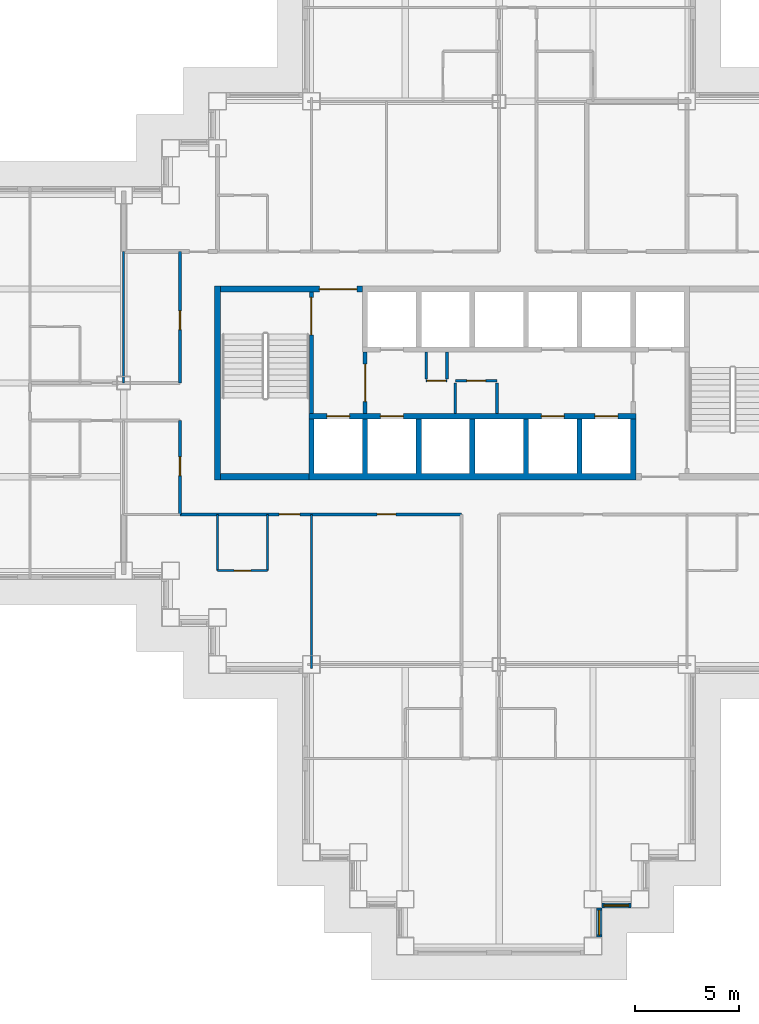
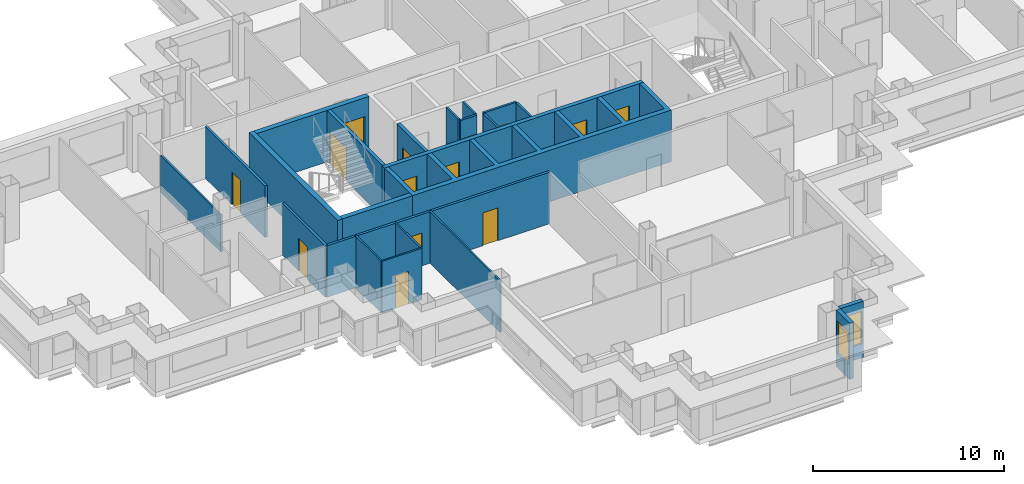
# One storey, part 5 of 15: 23 walls, 14 doors, 2 windows, 16 openings.
"""IFC4 building model written with IfcOpenShell, lengths in metres."""

from ifc_helpers import new_model, si_unit, direction, frame, frame_2d, origin, place, context, subcontext, project, spatial, polyline, rectangle, outline, extrude, material, layer, layer_set, type_object, element, fill, save


model = new_model("IFC4")

# Units and contexts
model_context = context("Model", 3, precision=1e-05, world=origin(), true_north=direction((0.0, 1.0)))
body_context = subcontext(model_context, "Body", "Model", "MODEL_VIEW")
ifc_project = project(units=[si_unit("LENGTHUNIT", "METRE"), si_unit("AREAUNIT", "SQUARE_METRE"), si_unit("VOLUMEUNIT", "CUBIC_METRE"), si_unit("PLANEANGLEUNIT", "RADIAN"), si_unit("MASSUNIT", "GRAM", prefix="KILO")], contexts=[model_context])

# Site, building, storey
site_placement = place(None, origin())
site = spatial("IfcSite", under=ifc_project, at=site_placement, CompositionType="ELEMENT")
building_placement = place(site_placement, origin())
building = spatial("IfcBuilding", under=site, at=building_placement, Name="Caravel Reach Hotel and Residences", CompositionType="ELEMENT")
storey_placement = place(building_placement, frame((0.0, 0.0, 122.39990234375)))
storey = spatial("IfcBuildingStorey", under=building, at=storey_placement, Name="L30", CompositionType="ELEMENT", Elevation=122.39990234375)

# Wall, opening, door
ifc_material_1 = material(Name="Gypsum board on steel stud", Category="steel")
ifc_layer_1 = layer(ifc_material_1, 0.10009765625)
ifc_layer_set_1 = layer_set([ifc_layer_1], Name="Bathroom pod wall 100 mm")
wall_type_1 = type_object("IfcWallType", Name="Bathroom pod wall 100 mm", PredefinedType="PARTITIONING", material=ifc_layer_set_1)
wall_1_placement = place(storey_placement, frame((18.0, 18.0, 0.0), z_axis=(0.0, 0.0, 1.0), x_axis=(1.0, 0.0, 0.0)))
wall_1 = element("IfcWall", 1, at=wall_1_placement, inside=storey, type_object=wall_type_1, Name="L30 wall w069", PredefinedType="PARTITIONING", context=body_context, shape_type="SweptSolid", body=[
    extrude(rectangle(XDim=2.39990234375, YDim=0.10009765625, at=frame_2d((1.199951171875, 0.0))), origin(), (0.0, 0.0, 1.0), 3.300048828125),
])
opening_1_placement = place(wall_1_placement, frame((0.800048828125, 0.0, 0.0)))
opening_1 = element("IfcOpeningElement", 2, at=opening_1_placement, cuts=wall_1, Name="Opening D30-047", PredefinedType="OPENING", context=body_context, shape_type="SweptSolid", body=[
    extrude(rectangle(XDim=0.800048828125, YDim=2.10009765625, at=frame_2d((0.39990234375, 1.050048828125))), frame((0.0, 0.06005859375, 0.0), z_axis=(0.0, -1.0, 0.0), x_axis=(1.0, 0.0, 0.0)), (0.0, 0.0, 1.0), 0.1201171875),
])
ifc_material_2 = material(Name="Timber and steel door leaf", Category="steel")
door_type_1 = type_object("IfcDoorType", Name="Bathroom door 800 x 2100", OperationType="SINGLE_SWING_LEFT", PredefinedType="DOOR", material=ifc_material_2)
door_1_placement = place(opening_1_placement, origin())
door_1 = element("IfcDoor", 3, at=door_1_placement, inside=storey, type_object=door_type_1, Name="door D30-047", OperationType="SINGLE_SWING_LEFT", OverallHeight=2.10009765625, OverallWidth=0.800048828125, PredefinedType="DOOR", context=body_context, shape_type="SweptSolid", body=[
    extrude(rectangle(XDim=0.800048828125, YDim=2.10009765625, at=frame_2d((0.39990234375, 1.050048828125))), frame((0.0, 0.02490234375, 0.0), z_axis=(0.0, -1.0, 0.0), x_axis=(1.0, 0.0, 0.0)), (0.0, 0.0, 1.0), 0.050048828125),
])
fill(opening_1, door_1)

# Walls
for number, where, z_axis, x_axis, name in (
    (4, (18.0, 18.0, 0.0), (0.0, 0.0, 1.0), (0.0, 1.0, 0.0), "L30 wall w083"),
    (5, (20.39990234375, 18.0, 0.0), (0.0, 0.0, 1.0), (0.0, 1.0, 0.0), "L30 wall w085"),
):
    element("IfcWall", number, at=place(storey_placement, frame(where, z_axis=z_axis, x_axis=x_axis)), inside=storey, type_object=wall_type_1, Name=name, PredefinedType="PARTITIONING", context=body_context, shape_type="SweptSolid", body=[
        extrude(rectangle(XDim=2.699951171875, YDim=0.10009765625, at=frame_2d((1.35009765625, 0.0))), origin(), (0.0, 0.0, 1.0), 3.300048828125),
    ])
ifc_material_3 = material(Name="Concrete C60", Category="concrete")
ifc_layer_2 = layer(ifc_material_3, 0.300048828125)
ifc_layer_set_2 = layer_set([ifc_layer_2], Name="Core wall 300 mm EI 120")
wall_type_2 = type_object("IfcWallType", Name="Core wall 300 mm EI 120", PredefinedType="SHEAR", material=ifc_layer_set_2)
wall_2_placement = place(storey_placement, frame((18.14990234375, 22.5, 0.0), z_axis=(0.0, 0.0, 1.0), x_axis=(1.0, 0.0, 0.0)))
element("IfcWall", 6, at=wall_2_placement, inside=storey, type_object=wall_type_2, Name="L30 core wall S1", PredefinedType="SHEAR", context=body_context, shape_type="SweptSolid", body=[
    extrude(rectangle(XDim=4.22509765625, YDim=0.300048828125, at=frame_2d((2.112548828125, 0.0))), origin(), (0.0, 0.0, 1.0), 3.300048828125),
])

# Wall, opening, door
wall_3_placement = place(storey_placement, frame((18.14990234375, 31.5, 0.0), z_axis=(0.0, 0.0, 1.0), x_axis=(1.0, 0.0, 0.0)))
wall_3 = element("IfcWall", 7, at=wall_3_placement, inside=storey, type_object=wall_type_2, Name="L30 core wall N1", PredefinedType="SHEAR", context=body_context, shape_type="SweptSolid", body=[
    extrude(rectangle(XDim=6.796630859375, YDim=0.300048828125, at=frame_2d((3.3984375, 0.0))), origin(), (0.0, 0.0, 1.0), 3.300048828125),
])
opening_2_placement = place(wall_3_placement, frame((4.735595703125, 0.0, 0.0)))
opening_2 = element("IfcOpeningElement", 8, at=opening_2_placement, cuts=wall_3, Name="Opening D30-014", PredefinedType="OPENING", context=body_context, shape_type="SweptSolid", body=[
    extrude(rectangle(XDim=1.800048828125, YDim=2.10009765625, at=frame_2d((0.89990234375, 1.050048828125))), frame((0.0, 0.159912109375, 0.0), z_axis=(0.0, -1.0, 0.0), x_axis=(1.0, 0.0, 0.0)), (0.0, 0.0, 1.0), 0.320068359375),
])
ifc_material_4 = material(Name="Steel fire door leaf", Category="steel")
door_type_2 = type_object("IfcDoorType", Name="Fire lobby door pair 1800 x 2100 EI 90", OperationType="DOUBLE_DOOR_SINGLE_SWING", PredefinedType="DOOR", material=ifc_material_4)
door_2_placement = place(opening_2_placement, origin())
door_2 = element("IfcDoor", 9, at=door_2_placement, inside=storey, type_object=door_type_2, Name="lobby N door pair to corridor", OperationType="DOUBLE_DOOR_SINGLE_SWING", OverallHeight=2.10009765625, OverallWidth=1.800048828125, PredefinedType="DOOR", context=body_context, shape_type="SweptSolid", body=[
    extrude(rectangle(XDim=1.800048828125, YDim=2.10009765625, at=frame_2d((0.89990234375, 1.050048828125))), frame((0.0, 0.02490234375, 0.0), z_axis=(0.0, -1.0, 0.0), x_axis=(1.0, 0.0, 0.0)), (0.0, 0.0, 1.0), 0.050048828125),
])
fill(opening_2, door_2)

# Wall
wall_4_placement = place(storey_placement, frame((18.0, 22.35009765625, 0.0), z_axis=(0.0, 0.0, 1.0), x_axis=(0.0, 1.0, 0.0)))
element("IfcWall", 10, at=wall_4_placement, inside=storey, type_object=wall_type_2, Name="L30 core wall W", PredefinedType="SHEAR", context=body_context, shape_type="SweptSolid", body=[
    extrude(rectangle(XDim=9.2998046875, YDim=0.300048828125, at=frame_2d((4.64990234375, 0.0))), origin(), (0.0, 0.0, 1.0), 3.300048828125),
])

# Wall, openings, doors
ifc_material_5 = material(Name="Gypsum board on steel stud, fire-rated", Category="steel")
ifc_layer_3 = layer(ifc_material_5, 0.14990234375)
ifc_layer_set_3 = layer_set([ifc_layer_3], Name="Corridor wall 150 mm EI 60")
wall_type_3 = type_object("IfcWallType", Name="Corridor wall 150 mm EI 60", PredefinedType="PARTITIONING", material=ifc_layer_set_3)
wall_5_placement = place(storey_placement, frame((16.199951171875, 20.699951171875, 0.0), z_axis=(0.0, 0.0, 1.0), x_axis=(1.0, 0.0, 0.0)))
wall_5 = element("IfcWall", 11, at=wall_5_placement, inside=storey, type_object=wall_type_3, Name="L30 wall w001", PredefinedType="PARTITIONING", context=body_context, shape_type="SweptSolid", body=[
    extrude(rectangle(XDim=13.5, YDim=0.14990234375, at=frame_2d((6.75, 0.0))), origin(), (0.0, 0.0, 1.0), 3.300048828125),
])
opening_3_placement = place(wall_5_placement, frame((4.75, 0.0, 0.0)))
opening_3 = element("IfcOpeningElement", 12, at=opening_3_placement, cuts=wall_5, Name="Opening D30-046", PredefinedType="OPENING", context=body_context, shape_type="SweptSolid", body=[
    extrude(rectangle(XDim=1.0, YDim=2.10009765625, at=frame_2d((0.5, 1.050048828125))), frame((0.0, 0.0849609375, 0.0), z_axis=(0.0, -1.0, 0.0), x_axis=(1.0, 0.0, 0.0)), (0.0, 0.0, 1.0), 0.169921875),
])
opening_4_placement = place(wall_5_placement, frame((9.449951171875, 0.0, 0.0)))
opening_4 = element("IfcOpeningElement", 13, at=opening_4_placement, cuts=wall_5, Name="Opening D30-054", PredefinedType="OPENING", context=body_context, shape_type="SweptSolid", body=[
    extrude(rectangle(XDim=0.89990234375, YDim=2.10009765625, at=frame_2d((0.449951171875, 1.050048828125))), frame((0.0, 0.0849609375, 0.0), z_axis=(0.0, -1.0, 0.0), x_axis=(1.0, 0.0, 0.0)), (0.0, 0.0, 1.0), 0.169921875),
])
ifc_material_6 = material(Name="Timber and steel door leaf", Category="steel")
door_type_3 = type_object("IfcDoorType", Name="Door 900 x 2100 timber", OperationType="SINGLE_SWING_LEFT", PredefinedType="DOOR", material=ifc_material_6)
door_3_placement = place(opening_4_placement, origin())
door_3 = element("IfcDoor", 14, at=door_3_placement, inside=storey, type_object=door_type_3, Name="door D30-054", OperationType="SINGLE_SWING_LEFT", OverallHeight=2.10009765625, OverallWidth=0.89990234375, PredefinedType="DOOR", context=body_context, shape_type="SweptSolid", body=[
    extrude(rectangle(XDim=0.89990234375, YDim=2.10009765625, at=frame_2d((0.449951171875, 1.050048828125))), frame((0.0, 0.02490234375, 0.0), z_axis=(0.0, -1.0, 0.0), x_axis=(1.0, 0.0, 0.0)), (0.0, 0.0, 1.0), 0.050048828125),
])
fill(opening_4, door_3)
ifc_material_7 = material(Name="Steel fire door leaf", Category="steel")
door_type_4 = type_object("IfcDoorType", Name="Guest room door 1000 x 2100 EI 30", OperationType="SINGLE_SWING_LEFT", PredefinedType="DOOR", material=ifc_material_7)
door_4_placement = place(opening_3_placement, origin())
door_4 = element("IfcDoor", 15, at=door_4_placement, inside=storey, type_object=door_type_4, Name="door D30-046", OperationType="SINGLE_SWING_RIGHT", OverallHeight=2.10009765625, OverallWidth=1.0, PredefinedType="DOOR", context=body_context, shape_type="SweptSolid", body=[
    extrude(rectangle(XDim=1.0, YDim=2.10009765625, at=frame_2d((0.5, 1.050048828125))), frame((0.0, 0.02490234375, 0.0), z_axis=(0.0, -1.0, 0.0), x_axis=(1.0, 0.0, 0.0)), (0.0, 0.0, 1.0), 0.050048828125),
])
fill(opening_3, door_4)

# Wall, opening, door
wall_6_placement = place(storey_placement, frame((16.199951171875, 27.0, 0.0), z_axis=(0.0, 0.0, 1.0), x_axis=(0.0, 1.0, 0.0)))
wall_6 = element("IfcWall", 16, at=wall_6_placement, inside=storey, type_object=wall_type_3, Name="L30 wall w023", PredefinedType="PARTITIONING", context=body_context, shape_type="SweptSolid", body=[
    extrude(rectangle(XDim=6.300048828125, YDim=0.14990234375, at=frame_2d((3.14990234375, 0.0))), origin(), (0.0, 0.0, 1.0), 3.300048828125),
])
opening_5_placement = place(wall_6_placement, frame((2.550048828125, 0.0, 0.0)))
opening_5 = element("IfcOpeningElement", 17, at=opening_5_placement, cuts=wall_6, Name="Opening D30-057", PredefinedType="OPENING", context=body_context, shape_type="SweptSolid", body=[
    extrude(rectangle(XDim=0.89990234375, YDim=2.10009765625, at=frame_2d((0.449951171875, 1.050048828125))), frame((0.0, 0.0849609375, 0.0), z_axis=(0.0, -1.0, 0.0), x_axis=(1.0, 0.0, 0.0)), (0.0, 0.0, 1.0), 0.169921875),
])
door_5_placement = place(opening_5_placement, origin())
door_5 = element("IfcDoor", 18, at=door_5_placement, inside=storey, type_object=door_type_3, Name="door D30-057", OperationType="SINGLE_SWING_LEFT", OverallHeight=2.10009765625, OverallWidth=0.89990234375, PredefinedType="DOOR", context=body_context, shape_type="SweptSolid", body=[
    extrude(rectangle(XDim=0.89990234375, YDim=2.10009765625, at=frame_2d((0.449951171875, 1.050048828125))), frame((0.0, 0.02490234375, 0.0), z_axis=(0.0, -1.0, 0.0), x_axis=(1.0, 0.0, 0.0)), (0.0, 0.0, 1.0), 0.050048828125),
])
fill(opening_5, door_5)

wall_7_placement = place(storey_placement, frame((16.199951171875, 20.699951171875, 0.0), z_axis=(0.0, 0.0, 1.0), x_axis=(0.0, 1.0, 0.0)))
wall_7 = element("IfcWall", 19, at=wall_7_placement, inside=storey, type_object=wall_type_3, Name="L30 wall w024", PredefinedType="PARTITIONING", context=body_context, shape_type="SweptSolid", body=[
    extrude(rectangle(XDim=4.5, YDim=0.14990234375, at=frame_2d((2.25, 0.0))), origin(), (0.0, 0.0, 1.0), 3.300048828125),
])
opening_6_placement = place(wall_7_placement, frame((1.85009765625, 0.0, 0.0)))
opening_6 = element("IfcOpeningElement", 20, at=opening_6_placement, cuts=wall_7, Name="Opening D30-056", PredefinedType="OPENING", context=body_context, shape_type="SweptSolid", body=[
    extrude(rectangle(XDim=0.89990234375, YDim=2.10009765625, at=frame_2d((0.449951171875, 1.050048828125))), frame((0.0, 0.0849609375, 0.0), z_axis=(0.0, -1.0, 0.0), x_axis=(1.0, 0.0, 0.0)), (0.0, 0.0, 1.0), 0.169921875),
])
door_6_placement = place(opening_6_placement, origin())
door_6 = element("IfcDoor", 21, at=door_6_placement, inside=storey, type_object=door_type_3, Name="door D30-056", OperationType="SINGLE_SWING_LEFT", OverallHeight=2.10009765625, OverallWidth=0.89990234375, PredefinedType="DOOR", context=body_context, shape_type="SweptSolid", body=[
    extrude(rectangle(XDim=0.89990234375, YDim=2.10009765625, at=frame_2d((0.449951171875, 1.050048828125))), frame((0.0, 0.02490234375, 0.0), z_axis=(0.0, -1.0, 0.0), x_axis=(1.0, 0.0, 0.0)), (0.0, 0.0, 1.0), 0.050048828125),
])
fill(opening_6, door_6)

# Wall, opening, window
ifc_material_8 = material(Name="Insulated rainscreen wall, aluminium cladding", Category="aluminium")
ifc_layer_4 = layer(ifc_material_8, 0.25)
ifc_layer_set_4 = layer_set([ifc_layer_4], Name="EW1 Tower rainscreen wall")
wall_type_4 = type_object("IfcWallType", Name="EW1 Tower rainscreen wall", PredefinedType="SOLIDWALL", material=ifc_layer_set_4)
wall_8_placement = place(storey_placement, frame((36.300048828125, 0.425048828125, 0.0), z_axis=(0.0, 0.0, 1.0), x_axis=(0.0, 1.0, 0.0)))
wall_8 = element("IfcWall", 22, at=wall_8_placement, inside=storey, type_object=wall_type_4, Name="External wall L30 E6.1", PredefinedType="SOLIDWALL", context=body_context, shape_type="SweptSolid", body=[
    extrude(rectangle(XDim=1.39990234375, YDim=0.25, at=frame_2d((0.699951171875, 0.0))), origin(), (0.0, 0.0, 1.0), 3.60009765625),
])
opening_7_placement = place(wall_8_placement, frame((0.10009765625, 0.0, 0.89990234375)))
opening_7 = element("IfcOpeningElement", 23, at=opening_7_placement, cuts=wall_8, Name="Opening WN9", PredefinedType="OPENING", context=body_context, shape_type="SweptSolid", body=[
    extrude(rectangle(XDim=1.199951171875, YDim=2.080078125, at=frame_2d((0.60009765625, 1.0400390625))), frame((0.0, 0.135009765625, 0.0), z_axis=(0.0, -1.0, 0.0), x_axis=(1.0, 0.0, 0.0)), (0.0, 0.0, 1.0), 0.27001953125),
])
ifc_material_9 = material(Name="Dark low-e glazing in black aluminium frame", Category="aluminium")
window_type = type_object("IfcWindowType", Name="Hotel suite corner window 1200 x 2080", PartitioningType="SINGLE_PANEL", PredefinedType="WINDOW", material=ifc_material_9)
window_1_placement = place(opening_7_placement, origin())
window_1 = element("IfcWindow", 24, at=window_1_placement, inside=storey, type_object=window_type, Name="Window L30 E6.1.1", OverallHeight=2.080078125, OverallWidth=1.199951171875, PartitioningType="SINGLE_PANEL", PredefinedType="WINDOW", context=body_context, shape_type="SweptSolid", body=[
    extrude(rectangle(XDim=1.199951171875, YDim=2.080078125, at=frame_2d((0.60009765625, 1.0400390625))), frame((0.0, 0.030029296875, 0.0), z_axis=(0.0, -1.0, 0.0), x_axis=(1.0, 0.0, 0.0)), (0.0, 0.0, 1.0), 0.06005859375),
])
fill(opening_7, window_1)

wall_9_placement = place(storey_placement, frame((36.425048828125, 1.949951171875, 0.0), z_axis=(0.0, 0.0, 1.0), x_axis=(1.0, 0.0, 0.0)))
wall_9 = element("IfcWall", 25, at=wall_9_placement, inside=storey, type_object=wall_type_4, Name="External wall L30 S7.1", PredefinedType="SOLIDWALL", context=body_context, shape_type="SweptSolid", body=[
    extrude(rectangle(XDim=1.39990234375, YDim=0.25, at=frame_2d((0.699951171875, 0.0))), origin(), (0.0, 0.0, 1.0), 3.60009765625),
])
opening_8_placement = place(wall_9_placement, frame((0.10009765625, 0.0, 0.89990234375)))
opening_8 = element("IfcOpeningElement", 26, at=opening_8_placement, cuts=wall_9, Name="Opening WN9", PredefinedType="OPENING", context=body_context, shape_type="SweptSolid", body=[
    extrude(rectangle(XDim=1.199951171875, YDim=2.080078125, at=frame_2d((0.60009765625, 1.0400390625))), frame((0.0, 0.135009765625, 0.0), z_axis=(0.0, -1.0, 0.0), x_axis=(1.0, 0.0, 0.0)), (0.0, 0.0, 1.0), 0.27001953125),
])
window_2_placement = place(opening_8_placement, origin())
window_2 = element("IfcWindow", 27, at=window_2_placement, inside=storey, type_object=window_type, Name="Window L30 S7.1.1", OverallHeight=2.080078125, OverallWidth=1.199951171875, PartitioningType="SINGLE_PANEL", PredefinedType="WINDOW", context=body_context, shape_type="SweptSolid", body=[
    extrude(rectangle(XDim=1.199951171875, YDim=2.080078125, at=frame_2d((0.60009765625, 1.0400390625))), frame((0.0, 0.030029296875, 0.0), z_axis=(0.0, -1.0, 0.0), x_axis=(1.0, 0.0, 0.0)), (0.0, 0.0, 1.0), 0.06005859375),
])
fill(opening_8, window_2)

# Wall, opening, door
ifc_material_10 = material(Name="Autoclaved aerated block wall")
ifc_layer_5 = layer(ifc_material_10, 0.199951171875)
ifc_layer_set_5 = layer_set([ifc_layer_5], Name="Fire lobby wall 200 mm EI 120")
wall_type_5 = type_object("IfcWallType", Name="Fire lobby wall 200 mm EI 120", PredefinedType="PARTITIONING", material=ifc_layer_set_5)
wall_10_placement = place(storey_placement, frame((25.071533203125, 25.52490234375, 0.0), z_axis=(0.0, 0.0, 1.0), x_axis=(0.0, 1.0, 0.0)))
wall_10 = element("IfcWall", 28, at=wall_10_placement, inside=storey, type_object=wall_type_5, Name="L30 lobby W wall", PredefinedType="PARTITIONING", context=body_context, shape_type="SweptSolid", body=[
    extrude(rectangle(XDim=2.9501953125, YDim=0.199951171875, at=frame_2d((1.47509765625, 0.0))), origin(), (0.0, 0.0, 1.0), 3.300048828125),
])
opening_9_placement = place(wall_10_placement, frame((0.574951171875, 0.0, 0.0)))
opening_9 = element("IfcOpeningElement", 29, at=opening_9_placement, cuts=wall_10, Name="Opening D30-012", PredefinedType="OPENING", context=body_context, shape_type="SweptSolid", body=[
    extrude(rectangle(XDim=1.800048828125, YDim=2.10009765625, at=frame_2d((0.89990234375, 1.050048828125))), frame((0.0, 0.10986328125, 0.0), z_axis=(0.0, -1.0, 0.0), x_axis=(1.0, 0.0, 0.0)), (0.0, 0.0, 1.0), 0.219970703125),
])
door_7_placement = place(opening_9_placement, origin())
door_7 = element("IfcDoor", 30, at=door_7_placement, inside=storey, type_object=door_type_2, Name="lobby W door pair", OperationType="DOUBLE_DOOR_SINGLE_SWING", OverallHeight=2.10009765625, OverallWidth=1.800048828125, PredefinedType="DOOR", context=body_context, shape_type="SweptSolid", body=[
    extrude(rectangle(XDim=1.800048828125, YDim=2.10009765625, at=frame_2d((0.89990234375, 1.050048828125))), frame((0.0, 0.02490234375, 0.0), z_axis=(0.0, -1.0, 0.0), x_axis=(1.0, 0.0, 0.0)), (0.0, 0.0, 1.0), 0.050048828125),
])
fill(opening_9, door_7)

# Walls
ifc_material_11 = material(Name="Gypsum board on steel stud", Category="steel")
ifc_layer_6 = layer(ifc_material_11, 0.10009765625)
ifc_layer_set_6 = layer_set([ifc_layer_6], Name="Partition 100 mm")
wall_type_6 = type_object("IfcWallType", Name="Partition 100 mm", PredefinedType="PARTITIONING", material=ifc_layer_set_6)
wall_11_placement = place(storey_placement, frame((13.5, 27.0, 0.0), z_axis=(0.0, 0.0, 1.0), x_axis=(0.0, 1.0, 0.0)))
element("IfcWall", 31, at=wall_11_placement, inside=storey, type_object=wall_type_6, Name="L30 wall w049", PredefinedType="PARTITIONING", context=body_context, shape_type="SweptSolid", body=[
    extrude(rectangle(XDim=6.300048828125, YDim=0.10009765625, at=frame_2d((3.14990234375, 0.0))), origin(), (0.0, 0.0, 1.0), 2.380126953125),
])
wall_12_placement = place(storey_placement, frame((22.5, 13.31005859375, 0.0), z_axis=(0.0, 0.0, 1.0), x_axis=(0.0, 1.0, 0.0)))
element("IfcWall", 32, at=wall_12_placement, inside=storey, type_object=wall_type_6, Name="L30 wall w052", PredefinedType="PARTITIONING", context=body_context, shape_type="SweptSolid", body=[
    extrude(rectangle(XDim=7.389892578125, YDim=0.10009765625, at=frame_2d((3.69482421875, 0.0))), origin(), (0.0, 0.0, 1.0), 3.300048828125),
])

# Wall, opening, door
ifc_material_12 = material(Name="Autoclaved aerated block wall")
ifc_layer_7 = layer(ifc_material_12, 0.125)
ifc_layer_set_7 = layer_set([ifc_layer_7], Name="Riser wall 125 mm EI 60")
wall_type_7 = type_object("IfcWallType", Name="Riser wall 125 mm EI 60", PredefinedType="PARTITIONING", material=ifc_layer_set_7)
wall_13_placement = place(storey_placement, frame((29.39990234375, 27.10009765625, 0.0), z_axis=(0.0, 0.0, 1.0), x_axis=(1.0, 0.0, 0.0)))
wall_13 = element("IfcWall", 33, at=wall_13_placement, inside=storey, type_object=wall_type_7, Name="L30 service room wall S1", PredefinedType="PARTITIONING", context=body_context, shape_type="SweptSolid", body=[
    extrude(rectangle(XDim=2.0, YDim=0.125, at=frame_2d((1.0, 0.0))), origin(), (0.0, 0.0, 1.0), 3.300048828125),
])
opening_10_placement = place(wall_13_placement, frame((0.550048828125, 0.0, 0.0)))
opening_10 = element("IfcOpeningElement", 34, at=opening_10_placement, cuts=wall_13, Name="Opening D30-008", PredefinedType="OPENING", context=body_context, shape_type="SweptSolid", body=[
    extrude(rectangle(XDim=0.89990234375, YDim=2.10009765625, at=frame_2d((0.449951171875, 1.050048828125))), frame((0.0, 0.072509765625, 0.0), z_axis=(0.0, -1.0, 0.0), x_axis=(1.0, 0.0, 0.0)), (0.0, 0.0, 1.0), 0.14501953125),
])
ifc_material_13 = material(Name="Steel fire door leaf", Category="steel")
door_type_5 = type_object("IfcDoorType", Name="Riser door 900 x 2100 EI 60", OperationType="SINGLE_SWING_LEFT", PredefinedType="DOOR", material=ifc_material_13)
door_8_placement = place(opening_10_placement, origin())
door_8 = element("IfcDoor", 35, at=door_8_placement, inside=storey, type_object=door_type_5, Name="Spa linen store door", OperationType="SINGLE_SWING_LEFT", OverallHeight=2.10009765625, OverallWidth=0.89990234375, PredefinedType="DOOR", context=body_context, shape_type="SweptSolid", body=[
    extrude(rectangle(XDim=0.89990234375, YDim=2.10009765625, at=frame_2d((0.449951171875, 1.050048828125))), frame((0.0, 0.02490234375, 0.0), z_axis=(0.0, -1.0, 0.0), x_axis=(1.0, 0.0, 0.0)), (0.0, 0.0, 1.0), 0.050048828125),
])
fill(opening_10, door_8)

# Walls
for number, where, z_axis, x_axis, name in (
    (36, (29.39990234375, 25.52490234375, 0.0), (0.0, 0.0, 1.0), (0.0, 1.0, 0.0), "L30 service room partition S1"),
    (37, (31.39990234375, 25.52490234375, 0.0), (0.0, 0.0, 1.0), (0.0, 1.0, 0.0), "L30 service room partition S1"),
):
    element("IfcWall", number, at=place(storey_placement, frame(where, z_axis=z_axis, x_axis=x_axis)), inside=storey, type_object=wall_type_7, Name=name, PredefinedType="PARTITIONING", context=body_context, shape_type="SweptSolid", body=[
        extrude(rectangle(XDim=1.47509765625, YDim=0.125, at=frame_2d((0.737548828125, 0.0))), origin(), (0.0, 0.0, 1.0), 3.300048828125),
    ])

# Wall, opening, door
wall_14_placement = place(storey_placement, frame((28.0, 27.10009765625, 0.0), z_axis=(0.0, 0.0, 1.0), x_axis=(1.0, 0.0, 0.0)))
wall_14 = element("IfcWall", 38, at=wall_14_placement, inside=storey, type_object=wall_type_7, Name="L30 service room wall N1", PredefinedType="PARTITIONING", context=body_context, shape_type="SweptSolid", body=[
    extrude(rectangle(XDim=1.0, YDim=0.125, at=frame_2d((0.5, 0.0))), origin(), (0.0, 0.0, 1.0), 3.300048828125),
])
opening_11_placement = place(wall_14_placement, frame((0.050048828125, 0.0, 0.0)))
opening_11 = element("IfcOpeningElement", 39, at=opening_11_placement, cuts=wall_14, Name="Opening D30-009", PredefinedType="OPENING", context=body_context, shape_type="SweptSolid", body=[
    extrude(rectangle(XDim=0.89990234375, YDim=2.10009765625, at=frame_2d((0.449951171875, 1.050048828125))), frame((0.0, 0.072509765625, 0.0), z_axis=(0.0, -1.0, 0.0), x_axis=(1.0, 0.0, 0.0)), (0.0, 0.0, 1.0), 0.14501953125),
])
door_9_placement = place(opening_11_placement, origin())
door_9 = element("IfcDoor", 40, at=door_9_placement, inside=storey, type_object=door_type_5, Name="Laundry store door", OperationType="SINGLE_SWING_LEFT", OverallHeight=2.10009765625, OverallWidth=0.89990234375, PredefinedType="DOOR", context=body_context, shape_type="SweptSolid", body=[
    extrude(rectangle(XDim=0.89990234375, YDim=2.10009765625, at=frame_2d((0.449951171875, 1.050048828125))), frame((0.0, 0.02490234375, 0.0), z_axis=(0.0, -1.0, 0.0), x_axis=(1.0, 0.0, 0.0)), (0.0, 0.0, 1.0), 0.050048828125),
])
fill(opening_11, door_9)

# Walls
for number, where, z_axis, x_axis, name in (
    (41, (28.0, 28.47509765625, 0.0), (0.0, 0.0, 1.0), (0.0, -1.0, 0.0), "L30 service room partition N1"),
    (42, (29.0, 28.47509765625, 0.0), (0.0, 0.0, 1.0), (0.0, -1.0, 0.0), "L30 service room partition N1"),
):
    element("IfcWall", number, at=place(storey_placement, frame(where, z_axis=z_axis, x_axis=x_axis)), inside=storey, type_object=wall_type_7, Name=name, PredefinedType="PARTITIONING", context=body_context, shape_type="SweptSolid", body=[
        extrude(rectangle(XDim=1.275146484375, YDim=0.125, at=frame_2d((0.6376953125, 0.0))), origin(), (0.0, 0.0, 1.0), 3.300048828125),
    ])
ifc_material_14 = material(Name="Concrete C60", Category="concrete")
ifc_layer_8 = layer(ifc_material_14, 0.25)
ifc_layer_set_8 = layer_set([ifc_layer_8], Name="Shaft wall 250 mm EI 120")
wall_type_8 = type_object("IfcWallType", Name="Shaft wall 250 mm EI 120", PredefinedType="SHEAR", material=ifc_layer_set_8)
wall_15_placement = place(storey_placement, origin())
element("IfcWall", 43, at=wall_15_placement, inside=storey, type_object=wall_type_8, Name="L30 lift shaft wall S1", PredefinedType="SHEAR", context=body_context, shape_type="SweptSolid", body=[
    extrude(outline(polyline([(22.375, 22.35009765625), (38.053466796875, 22.35009765625), (38.053466796875, 25.27490234375), (37.803466796875, 25.27490234375), (37.803466796875, 22.64990234375), (35.482177734375, 22.64990234375), (35.482177734375, 25.27490234375), (35.232177734375, 25.27490234375), (35.232177734375, 22.64990234375), (32.91064453125, 22.64990234375), (32.91064453125, 25.27490234375), (32.66064453125, 25.27490234375), (32.66064453125, 22.64990234375), (30.33935546875, 22.64990234375), (30.33935546875, 25.27490234375), (30.08935546875, 25.27490234375), (30.08935546875, 22.64990234375), (27.767822265625, 22.64990234375), (27.767822265625, 25.27490234375), (27.517822265625, 25.27490234375), (27.517822265625, 22.64990234375), (25.196533203125, 22.64990234375), (25.196533203125, 25.27490234375), (24.946533203125, 25.27490234375), (24.946533203125, 22.64990234375), (22.625, 22.64990234375), (22.625, 25.27490234375), (22.375, 25.27490234375), (22.375, 22.35009765625)])), origin(), (0.0, 0.0, 1.0), 3.300048828125),
])

# Wall, openings, doors
wall_16_placement = place(storey_placement, frame((22.375, 25.39990234375, 0.0), z_axis=(0.0, 0.0, 1.0), x_axis=(1.0, 0.0, 0.0)))
wall_16 = element("IfcWall", 44, at=wall_16_placement, inside=storey, type_object=wall_type_8, Name="L30 lobby wall S1", PredefinedType="SHEAR", context=body_context, shape_type="SweptSolid", body=[
    extrude(rectangle(XDim=15.678466796875, YDim=0.25, at=frame_2d((7.83935546875, 0.0))), origin(), (0.0, 0.0, 1.0), 3.300048828125),
])
opening_12_placement = place(wall_16_placement, frame((3.43212890625, 0.0, 0.0)))
opening_12 = element("IfcOpeningElement", 45, at=opening_12_placement, cuts=wall_16, Name="Opening D30-001", PredefinedType="OPENING", context=body_context, shape_type="SweptSolid", body=[
    extrude(rectangle(XDim=1.10009765625, YDim=2.10009765625, at=frame_2d((0.550048828125, 1.050048828125))), frame((0.0, 0.135009765625, 0.0), z_axis=(0.0, -1.0, 0.0), x_axis=(1.0, 0.0, 0.0)), (0.0, 0.0, 1.0), 0.27001953125),
])
opening_13_placement = place(wall_16_placement, frame((11.146484375, 0.0, 0.0)))
opening_13 = element("IfcOpeningElement", 46, at=opening_13_placement, cuts=wall_16, Name="Opening D30-002", PredefinedType="OPENING", context=body_context, shape_type="SweptSolid", body=[
    extrude(rectangle(XDim=1.10009765625, YDim=2.10009765625, at=frame_2d((0.550048828125, 1.050048828125))), frame((0.0, 0.135009765625, 0.0), z_axis=(0.0, -1.0, 0.0), x_axis=(1.0, 0.0, 0.0)), (0.0, 0.0, 1.0), 0.27001953125),
])
opening_14_placement = place(wall_16_placement, frame((13.718017578125, 0.0, 0.0)))
opening_14 = element("IfcOpeningElement", 47, at=opening_14_placement, cuts=wall_16, Name="Opening D30-003", PredefinedType="OPENING", context=body_context, shape_type="SweptSolid", body=[
    extrude(rectangle(XDim=1.10009765625, YDim=2.10009765625, at=frame_2d((0.550048828125, 1.050048828125))), frame((0.0, 0.135009765625, 0.0), z_axis=(0.0, -1.0, 0.0), x_axis=(1.0, 0.0, 0.0)), (0.0, 0.0, 1.0), 0.27001953125),
])
opening_15_placement = place(wall_16_placement, frame((0.860595703125, 0.0, 0.0)))
opening_15 = element("IfcOpeningElement", 48, at=opening_15_placement, cuts=wall_16, Name="Opening D30-006", PredefinedType="OPENING", context=body_context, shape_type="SweptSolid", body=[
    extrude(rectangle(XDim=1.10009765625, YDim=2.10009765625, at=frame_2d((0.550048828125, 1.050048828125))), frame((0.0, 0.135009765625, 0.0), z_axis=(0.0, -1.0, 0.0), x_axis=(1.0, 0.0, 0.0)), (0.0, 0.0, 1.0), 0.27001953125),
])
ifc_material_15 = material(Name="Stainless steel landing door", Category="steel")
door_type_6 = type_object("IfcDoorType", Name="Landing door LD 1100 x 2100 sliding", OperationType="DOUBLE_DOOR_SLIDING", PredefinedType="DOOR", material=ifc_material_15)
door_10_placement = place(opening_12_placement, origin())
door_10 = element("IfcDoor", 49, at=door_10_placement, inside=storey, type_object=door_type_6, Name="LP1 landing door", OperationType="DOUBLE_DOOR_SLIDING", OverallHeight=2.10009765625, OverallWidth=1.10009765625, PredefinedType="DOOR", context=body_context, shape_type="SweptSolid", body=[
    extrude(rectangle(XDim=1.10009765625, YDim=2.10009765625, at=frame_2d((0.550048828125, 1.050048828125))), frame((0.0, 0.02490234375, 0.0), z_axis=(0.0, -1.0, 0.0), x_axis=(1.0, 0.0, 0.0)), (0.0, 0.0, 1.0), 0.050048828125),
])
fill(opening_12, door_10)
door_11_placement = place(opening_13_placement, origin())
door_11 = element("IfcDoor", 50, at=door_11_placement, inside=storey, type_object=door_type_6, Name="LP2 landing door", OperationType="DOUBLE_DOOR_SLIDING", OverallHeight=2.10009765625, OverallWidth=1.10009765625, PredefinedType="DOOR", context=body_context, shape_type="SweptSolid", body=[
    extrude(rectangle(XDim=1.10009765625, YDim=2.10009765625, at=frame_2d((0.550048828125, 1.050048828125))), frame((0.0, 0.02490234375, 0.0), z_axis=(0.0, -1.0, 0.0), x_axis=(1.0, 0.0, 0.0)), (0.0, 0.0, 1.0), 0.050048828125),
])
fill(opening_13, door_11)
door_12_placement = place(opening_14_placement, origin())
door_12 = element("IfcDoor", 51, at=door_12_placement, inside=storey, type_object=door_type_6, Name="LP3 landing door", OperationType="DOUBLE_DOOR_SLIDING", OverallHeight=2.10009765625, OverallWidth=1.10009765625, PredefinedType="DOOR", context=body_context, shape_type="SweptSolid", body=[
    extrude(rectangle(XDim=1.10009765625, YDim=2.10009765625, at=frame_2d((0.550048828125, 1.050048828125))), frame((0.0, 0.02490234375, 0.0), z_axis=(0.0, -1.0, 0.0), x_axis=(1.0, 0.0, 0.0)), (0.0, 0.0, 1.0), 0.050048828125),
])
fill(opening_14, door_12)
door_13_placement = place(opening_15_placement, origin())
door_13 = element("IfcDoor", 52, at=door_13_placement, inside=storey, type_object=door_type_6, Name="FL1 landing door", OperationType="DOUBLE_DOOR_SLIDING", OverallHeight=2.10009765625, OverallWidth=1.10009765625, PredefinedType="DOOR", context=body_context, shape_type="SweptSolid", body=[
    extrude(rectangle(XDim=1.10009765625, YDim=2.10009765625, at=frame_2d((0.550048828125, 1.050048828125))), frame((0.0, 0.02490234375, 0.0), z_axis=(0.0, -1.0, 0.0), x_axis=(1.0, 0.0, 0.0)), (0.0, 0.0, 1.0), 0.050048828125),
])
fill(opening_15, door_13)

# Wall, opening, door
ifc_material_16 = material(Name="Concrete C60", Category="concrete")
ifc_layer_9 = layer(ifc_material_16, 0.199951171875)
ifc_layer_set_9 = layer_set([ifc_layer_9], Name="Stair enclosure wall 200 mm EI 120")
wall_type_9 = type_object("IfcWallType", Name="Stair enclosure wall 200 mm EI 120", PredefinedType="SHEAR", material=ifc_layer_set_9)
wall_17_placement = place(storey_placement, frame((22.5, 31.35009765625, 0.0), z_axis=(0.0, 0.0, 1.0), x_axis=(0.0, -1.0, 0.0)))
wall_17 = element("IfcWall", 53, at=wall_17_placement, inside=storey, type_object=wall_type_9, Name="L30 stair A wall", PredefinedType="SHEAR", context=body_context, shape_type="SweptSolid", body=[
    extrude(rectangle(XDim=5.8251953125, YDim=0.199951171875, at=frame_2d((2.91259765625, 0.0))), origin(), (0.0, 0.0, 1.0), 3.300048828125),
])
opening_16_placement = place(wall_17_placement, frame((0.25, 0.0, 0.0)))
opening_16 = element("IfcOpeningElement", 54, at=opening_16_placement, cuts=wall_17, Name="Opening D30-010", PredefinedType="OPENING", context=body_context, shape_type="SweptSolid", body=[
    extrude(rectangle(XDim=1.800048828125, YDim=2.10009765625, at=frame_2d((0.89990234375, 1.050048828125))), frame((0.0, 0.10986328125, 0.0), z_axis=(0.0, -1.0, 0.0), x_axis=(1.0, 0.0, 0.0)), (0.0, 0.0, 1.0), 0.219970703125),
])
ifc_material_17 = material(Name="Steel fire door leaf", Category="steel")
door_type_7 = type_object("IfcDoorType", Name="Stair door pair 1800 x 2100 EI 90", OperationType="DOUBLE_DOOR_SINGLE_SWING", PredefinedType="DOOR", material=ifc_material_17)
door_14_placement = place(opening_16_placement, origin())
door_14 = element("IfcDoor", 55, at=door_14_placement, inside=storey, type_object=door_type_7, Name="stair A door pair", OperationType="DOUBLE_DOOR_SINGLE_SWING", OverallHeight=2.10009765625, OverallWidth=1.800048828125, PredefinedType="DOOR", context=body_context, shape_type="SweptSolid", body=[
    extrude(rectangle(XDim=1.800048828125, YDim=2.10009765625, at=frame_2d((0.89990234375, 1.050048828125))), frame((0.0, 0.02490234375, 0.0), z_axis=(0.0, -1.0, 0.0), x_axis=(1.0, 0.0, 0.0)), (0.0, 0.0, 1.0), 0.050048828125),
])
fill(opening_16, door_14)

save(model, "model.ifc")
